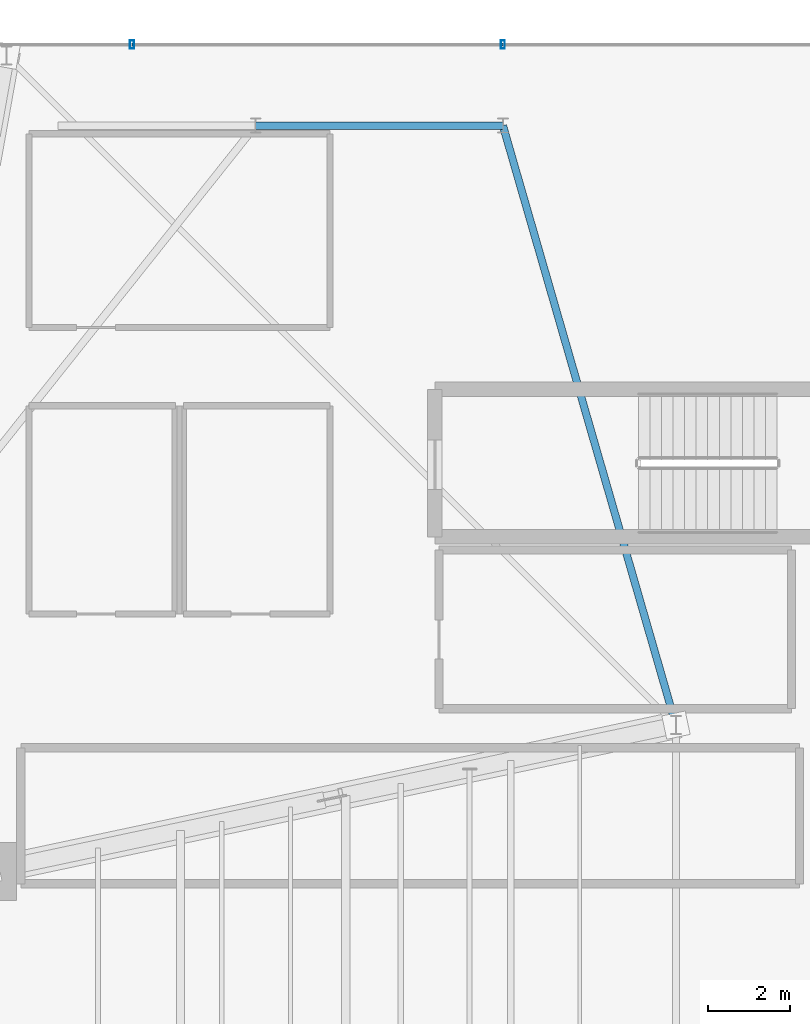
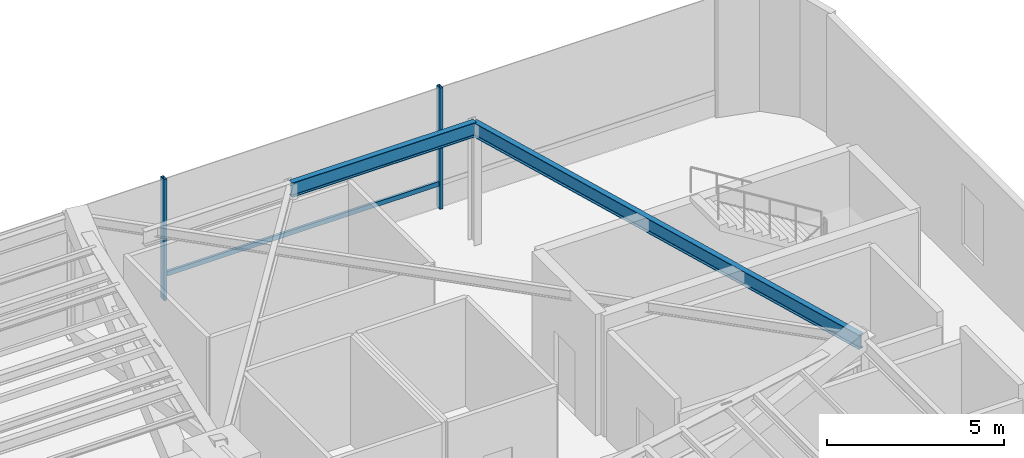
# One storey, part 16 of 32: 3 members, 2 beams, 1 element without a shape of its own.
"""IFC4 building model written with IfcOpenShell, lengths in metres."""

from ifc_helpers import new_model, si_unit, direction, frame, origin, origin_2d, place, context, subcontext, project, spatial, hollow_rectangle, i_section, extrude, source, transform, mapped, material, material_profile, profile_set, type_object, element, aggregate, save


model = new_model("IFC4")

# Units and contexts
model_context = context("Model", 3, precision=1e-05, world=origin(), true_north=direction((0.0, 1.0)))
body_context = subcontext(model_context, "Body", "Model", "MODEL_VIEW")
ifc_project = project(units=[si_unit("LENGTHUNIT", "METRE"), si_unit("AREAUNIT", "SQUARE_METRE"), si_unit("VOLUMEUNIT", "CUBIC_METRE"), si_unit("PLANEANGLEUNIT", "RADIAN"), si_unit("MASSUNIT", "GRAM", prefix="KILO")], contexts=[model_context])

# Site, building, storey
site_placement = place(None, origin())
site = spatial("IfcSite", under=ifc_project, at=site_placement, CompositionType="ELEMENT")
building_placement = place(site_placement, origin())
building = spatial("IfcBuilding", under=site, at=building_placement, Name="Sahyath Konkavel Grand Hotel", CompositionType="ELEMENT")
storey_placement = place(building_placement, frame((0.0, 0.0, 14.10009765625)))
storey = spatial("IfcBuildingStorey", under=building, at=storey_placement, Name="L03", CompositionType="ELEMENT", Elevation=14.10009765625)

# Beams
ifc_material_1 = material(Name="Steel E350", Category="steel")
ifc_material_profile_1 = material_profile(ifc_material_1, i_section(OverallWidth=0.179931640625, OverallDepth=0.5, WebThickness=0.01025390625, FlangeThickness=0.01708984375, FilletRadius=0.01708984375, at=origin_2d()), Name="ISMB 500")
ifc_profile_set_1 = profile_set([ifc_material_profile_1], Name="Steel E350")
beam_type = type_object("IfcBeamType", Name="BM-ISMB500", PredefinedType="BEAM", material=ifc_profile_set_1)
shared_shape_1 = source(origin(), body_context, "Body", "SweptSolid", [
    extrude(i_section(OverallWidth=0.179931640625, OverallDepth=0.5, WebThickness=0.01025390625, FlangeThickness=0.01708984375, FilletRadius=0.01708984375, at=origin_2d()), origin(), (0.0, 0.0, 1.0), 6.0),
])
beam_1_placement = place(storey_placement, frame((12.0, 20.5, 3.929931640625), z_axis=(1.0, 0.0, 0.0), x_axis=(0.0, 1.0, 0.0)))
element("IfcBeam", 1, at=beam_1_placement, inside=storey, type_object=beam_type, Name="str:bm:L03:POD34-04", PredefinedType="BEAM", context=body_context, shape_type="MappedRepresentation", body=[
    mapped(shared_shape_1, transform((0.0, 0.0, 0.0), scale=1.0)),
])
shared_shape_2 = source(origin(), body_context, "Body", "SweptSolid", [
    extrude(i_section(OverallWidth=0.179931640625, OverallDepth=0.5, WebThickness=0.01025390625, FlangeThickness=0.01708984375, FilletRadius=0.01708984375, at=origin_2d()), origin(), (0.0, 0.0, 1.0), 15.14404296875),
])
beam_2_placement = place(storey_placement, frame((18.0, 20.5, 3.929931640625), z_axis=(0.277332657483, -0.960773957335, 0.0), x_axis=(0.960773957335, 0.277332657483, 0.0)))
element("IfcBeam", 2, at=beam_2_placement, inside=storey, type_object=beam_type, Name="str:bm:L03:POD34-12", PredefinedType="BEAM", context=body_context, shape_type="MappedRepresentation", body=[
    mapped(shared_shape_2, transform((0.0, 0.0, 0.0), scale=1.0)),
])

# Curtain wall, members
ifc_material_2 = material(Name="Anodised Bronze Aluminium & Low-E Glazing", Category="aluminium")
curtain_wall_type = type_object("IfcCurtainWallType", Name="CW-PODIUM", PredefinedType="NOTDEFINED", material=ifc_material_2)
curtain_wall_placement = place(storey_placement, origin())
curtain_wall = element("IfcCurtainWall", 3, at=curtain_wall_placement, inside=storey, type_object=curtain_wall_type, Name="L03 Unitised Curtain Wall N", PredefinedType="NOTDEFINED")
ifc_material_3 = material(Name="Anodised Bronze Aluminium", Category="aluminium")
ifc_material_profile_2 = material_profile(ifc_material_3, hollow_rectangle(XDim=0.10009765625, YDim=0.199951171875, WallThickness=0.008056640625, at=origin_2d()), Name="RHS 200x100x8")
ifc_profile_set_2 = profile_set([ifc_material_profile_2], Name="Anodised Bronze Aluminium")
member_type_1 = type_object("IfcMemberType", Name="CW-MUL-200", PredefinedType="MULLION", material=ifc_profile_set_2)
shared_shape_3 = source(origin(), body_context, "Body", "SweptSolid", [
    extrude(hollow_rectangle(XDim=0.10009765625, YDim=0.199951171875, WallThickness=0.008056640625, at=origin_2d()), origin(), (0.0, 0.0, 1.0), 4.179931640625),
])
member_1_placement = place(storey_placement, frame((17.997314453125, 22.465087890625, 0.0), z_axis=(0.0, 0.0, 1.0), x_axis=(1.0, 0.0, 0.0)))
member_1 = element("IfcMember", 4, at=member_1_placement, type_object=member_type_1, Name="L03 Curtain Wall Mullion N-1", PredefinedType="MULLION", context=body_context, shape_type="MappedRepresentation", body=[
    mapped(shared_shape_3, transform((0.0, 0.0, 0.0), scale=1.0)),
])
member_2_placement = place(storey_placement, frame((8.998779296875, 22.465087890625, 0.0), z_axis=(0.0, 0.0, 1.0), x_axis=(1.0, 0.0, 0.0)))
member_2 = element("IfcMember", 5, at=member_2_placement, type_object=member_type_1, Name="L03 Curtain Wall Mullion N-2", PredefinedType="MULLION", context=body_context, shape_type="MappedRepresentation", body=[
    mapped(shared_shape_3, transform((0.0, 0.0, 0.0), scale=1.0)),
])
ifc_material_profile_3 = material_profile(ifc_material_3, hollow_rectangle(XDim=0.080078125, YDim=0.159912109375, WallThickness=0.006103515625, at=origin_2d()), Name="RHS 160x80x6")
ifc_profile_set_3 = profile_set([ifc_material_profile_3], Name="Anodised Bronze Aluminium")
member_type_2 = type_object("IfcMemberType", Name="CW-TRN-160", PredefinedType="USERDEFINED", material=ifc_profile_set_3)
shared_shape_4 = source(origin(), body_context, "Body", "SweptSolid", [
    extrude(hollow_rectangle(XDim=0.080078125, YDim=0.159912109375, WallThickness=0.006103515625, at=origin_2d()), origin(), (0.0, 0.0, 1.0), 8.99853515625),
])
member_3_placement = place(storey_placement, frame((17.997314453125, 22.465087890625, 0.849853515625), z_axis=(-1.0, 0.0, 0.0), x_axis=(0.0, -1.0, 0.0)))
member_3 = element("IfcMember", 6, at=member_3_placement, type_object=member_type_2, Name="L03 Curtain Wall Transom N-1-spandrel", ObjectType="TRANSOM", PredefinedType="USERDEFINED", context=body_context, shape_type="MappedRepresentation", body=[
    mapped(shared_shape_4, transform((0.0, 0.0, 0.0), scale=1.0)),
])
aggregate(curtain_wall, [member_1, member_2, member_3])

save(model, "model.ifc")
